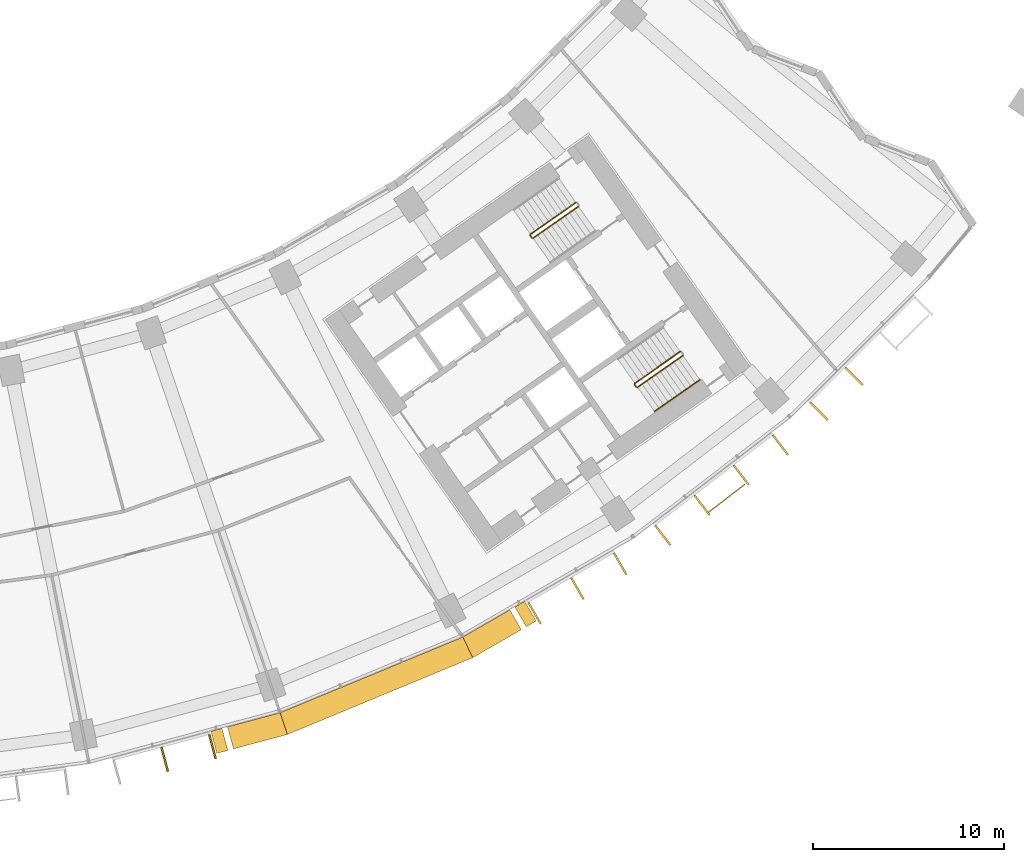
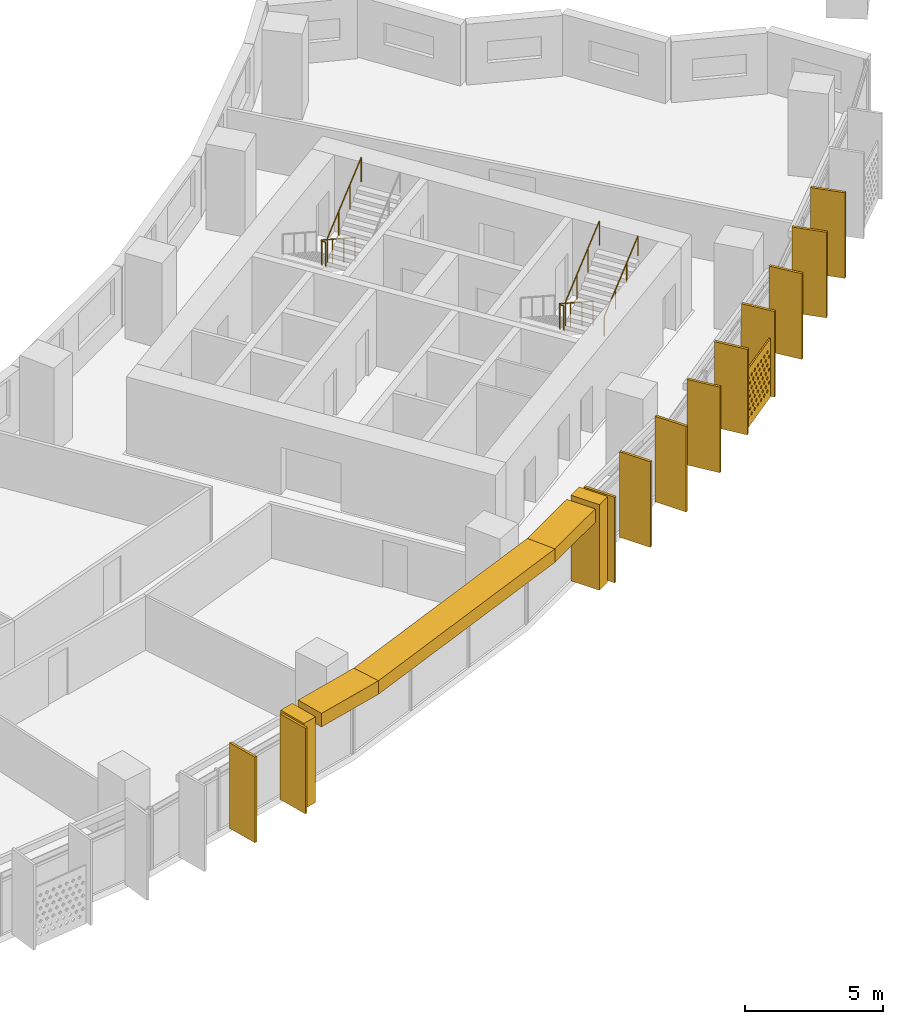
# One storey, part 27 of 28: 17 shading devices, 5 railings.
"""IFC4 building model written with IfcOpenShell, lengths in metres."""

from ifc_helpers import new_model, si_unit, direction, frame, origin, origin_2d, place, context, subcontext, project, spatial, polyline, rectangle, circle, outline, extrude, material, material_profile, profile_set, type_object, element, save


model = new_model("IFC4")

# Units and contexts
model_context = context("Model", 3, precision=1e-05, world=origin(), true_north=direction((0.0, 1.0)))
body_context = subcontext(model_context, "Body", "Model", "MODEL_VIEW")
ifc_project = project(units=[si_unit("LENGTHUNIT", "METRE"), si_unit("AREAUNIT", "SQUARE_METRE"), si_unit("VOLUMEUNIT", "CUBIC_METRE"), si_unit("PLANEANGLEUNIT", "RADIAN"), si_unit("MASSUNIT", "GRAM", prefix="KILO")], contexts=[model_context])

# Site, building, storey
site_placement = place(None, origin())
site = spatial("IfcSite", under=ifc_project, at=site_placement, CompositionType="ELEMENT")
building_placement = place(site_placement, origin())
building = spatial("IfcBuilding", under=site, at=building_placement, Name="Qamariyya Broadcast Tower", CompositionType="ELEMENT")
storey_placement = place(building_placement, frame((0.0, 0.0, 140.5)))
storey = spatial("IfcBuildingStorey", under=building, at=storey_placement, Name="L32", CompositionType="ELEMENT", Elevation=140.5)

# Shading devices
ifc_material_1 = material(Name="Steel S355 powder coated deep red", Category="steel")
shading_device_type_1 = type_object("IfcShadingDeviceType", Name="Deep red frame, powder coated steel box section", PredefinedType="USERDEFINED", material=ifc_material_1)
shading_device_1_placement = place(storey_placement, origin())
element("IfcShadingDevice", 1, at=shading_device_1_placement, inside=storey, type_object=shading_device_type_1, Name="e-frm-B2-F3-posta-L32", ObjectType="FRAME", PredefinedType="USERDEFINED", context=body_context, shape_type="SweptSolid", body=[
    extrude(outline(polyline([(21.860595703125, -76.064208984375), (22.171142578125, -77.22314453125), (22.750732421875, -77.06787109375), (22.440185546875, -75.908935546875), (21.860595703125, -76.064208984375)])), origin(), (0.0, 0.0, 1.0), 3.800048828125),
])
shading_device_2_placement = place(storey_placement, origin())
element("IfcShadingDevice", 2, at=shading_device_2_placement, inside=storey, type_object=shading_device_type_1, Name="e-frm-B2-F3-postb-L32", ObjectType="FRAME", PredefinedType="USERDEFINED", context=body_context, shape_type="SweptSolid", body=[
    extrude(outline(polyline([(37.80810546875, -69.543212890625), (38.408203125, -70.58251953125), (38.927734375, -70.282470703125), (38.32763671875, -69.2431640625), (37.80810546875, -69.543212890625)])), origin(), (0.0, 0.0, 1.0), 3.800048828125),
])
shading_device_3_placement = place(storey_placement, frame((0.0, 0.0, 3.199951171875)))
element("IfcShadingDevice", 3, at=shading_device_3_placement, inside=storey, type_object=shading_device_type_1, Name="e-frm-B2-F3-top0", ObjectType="FRAME", PredefinedType="USERDEFINED", context=body_context, shape_type="SweptSolid", body=[
    extrude(outline(polyline([(22.72998046875, -75.8310546875), (23.04052734375, -76.990234375), (25.876708984375, -76.230224609375), (25.490234375, -75.091552734375), (22.72998046875, -75.8310546875)])), origin(), (0.0, 0.0, 1.0), 0.60009765625),
])
shading_device_4_placement = place(storey_placement, frame((0.0, 0.0, 3.199951171875)))
element("IfcShadingDevice", 4, at=shading_device_4_placement, inside=storey, type_object=shading_device_type_1, Name="e-frm-B2-F3-top1", ObjectType="FRAME", PredefinedType="USERDEFINED", context=body_context, shape_type="SweptSolid", body=[
    extrude(outline(polyline([(25.490234375, -75.091552734375), (25.876708984375, -76.230224609375), (35.60546875, -72.20068359375), (35.073486328125, -71.1220703125), (25.490234375, -75.091552734375)])), origin(), (0.0, 0.0, 1.0), 0.60009765625),
])
shading_device_5_placement = place(storey_placement, frame((0.0, 0.0, 3.199951171875)))
element("IfcShadingDevice", 5, at=shading_device_5_placement, inside=storey, type_object=shading_device_type_1, Name="e-frm-B2-F3-top2", ObjectType="FRAME", PredefinedType="USERDEFINED", context=body_context, shape_type="SweptSolid", body=[
    extrude(outline(polyline([(35.073486328125, -71.1220703125), (35.60546875, -72.20068359375), (38.148193359375, -70.732421875), (37.54833984375, -69.693115234375), (35.073486328125, -71.1220703125)])), origin(), (0.0, 0.0, 1.0), 0.60009765625),
])
ifc_material_2 = material(Name="Perforated glazed terracotta", Category="masonry")
ifc_material_profile_1 = material_profile(ifc_material_2, outline(polyline([(-1.199951171875, -1.300048828125), (1.199951171875, -1.300048828125), (1.199951171875, 1.300048828125), (-1.199951171875, 1.300048828125), (-1.199951171875, -1.300048828125)]), holes=[polyline([(-0.81494140625, -0.86669921875), (-0.89990234375, -0.78173828125), (-0.985107421875, -0.86669921875), (-0.89990234375, -0.95166015625), (-0.81494140625, -0.86669921875)]), polyline([(-0.514892578125, -0.86669921875), (-0.60009765625, -0.78173828125), (-0.68505859375, -0.86669921875), (-0.60009765625, -0.95166015625), (-0.514892578125, -0.86669921875)]), polyline([(-0.215087890625, -0.86669921875), (-0.300048828125, -0.78173828125), (-0.385009765625, -0.86669921875), (-0.300048828125, -0.95166015625), (-0.215087890625, -0.86669921875)]), polyline([(0.0849609375, -0.86669921875), (0.0, -0.78173828125), (-0.0849609375, -0.86669921875), (0.0, -0.95166015625), (0.0849609375, -0.86669921875)]), polyline([(0.385009765625, -0.86669921875), (0.300048828125, -0.78173828125), (0.215087890625, -0.86669921875), (0.300048828125, -0.95166015625), (0.385009765625, -0.86669921875)]), polyline([(0.68505859375, -0.86669921875), (0.60009765625, -0.78173828125), (0.514892578125, -0.86669921875), (0.60009765625, -0.95166015625), (0.68505859375, -0.86669921875)]), polyline([(0.985107421875, -0.86669921875), (0.89990234375, -0.78173828125), (0.81494140625, -0.86669921875), (0.89990234375, -0.95166015625), (0.985107421875, -0.86669921875)]), polyline([(-0.965087890625, -0.577880859375), (-1.050048828125, -0.49267578125), (-1.135009765625, -0.577880859375), (-1.050048828125, -0.662841796875), (-0.965087890625, -0.577880859375)]), polyline([(-0.6650390625, -0.577880859375), (-0.75, -0.49267578125), (-0.8349609375, -0.577880859375), (-0.75, -0.662841796875), (-0.6650390625, -0.577880859375)]), polyline([(-0.364990234375, -0.577880859375), (-0.449951171875, -0.49267578125), (-0.534912109375, -0.577880859375), (-0.449951171875, -0.662841796875), (-0.364990234375, -0.577880859375)]), polyline([(-0.06494140625, -0.577880859375), (-0.14990234375, -0.49267578125), (-0.235107421875, -0.577880859375), (-0.14990234375, -0.662841796875), (-0.06494140625, -0.577880859375)]), polyline([(0.235107421875, -0.577880859375), (0.14990234375, -0.49267578125), (0.06494140625, -0.577880859375), (0.14990234375, -0.662841796875), (0.235107421875, -0.577880859375)]), polyline([(0.534912109375, -0.577880859375), (0.449951171875, -0.49267578125), (0.364990234375, -0.577880859375), (0.449951171875, -0.662841796875), (0.534912109375, -0.577880859375)]), polyline([(0.8349609375, -0.577880859375), (0.75, -0.49267578125), (0.6650390625, -0.577880859375), (0.75, -0.662841796875), (0.8349609375, -0.577880859375)]), polyline([(1.135009765625, -0.577880859375), (1.050048828125, -0.49267578125), (0.965087890625, -0.577880859375), (1.050048828125, -0.662841796875), (1.135009765625, -0.577880859375)]), polyline([(-0.81494140625, -0.288818359375), (-0.89990234375, -0.203857421875), (-0.985107421875, -0.288818359375), (-0.89990234375, -0.373779296875), (-0.81494140625, -0.288818359375)]), polyline([(-0.514892578125, -0.288818359375), (-0.60009765625, -0.203857421875), (-0.68505859375, -0.288818359375), (-0.60009765625, -0.373779296875), (-0.514892578125, -0.288818359375)]), polyline([(-0.215087890625, -0.288818359375), (-0.300048828125, -0.203857421875), (-0.385009765625, -0.288818359375), (-0.300048828125, -0.373779296875), (-0.215087890625, -0.288818359375)]), polyline([(0.0849609375, -0.288818359375), (0.0, -0.203857421875), (-0.0849609375, -0.288818359375), (0.0, -0.373779296875), (0.0849609375, -0.288818359375)]), polyline([(0.385009765625, -0.288818359375), (0.300048828125, -0.203857421875), (0.215087890625, -0.288818359375), (0.300048828125, -0.373779296875), (0.385009765625, -0.288818359375)]), polyline([(0.68505859375, -0.288818359375), (0.60009765625, -0.203857421875), (0.514892578125, -0.288818359375), (0.60009765625, -0.373779296875), (0.68505859375, -0.288818359375)]), polyline([(0.985107421875, -0.288818359375), (0.89990234375, -0.203857421875), (0.81494140625, -0.288818359375), (0.89990234375, -0.373779296875), (0.985107421875, -0.288818359375)]), polyline([(-0.965087890625, 0.0), (-1.050048828125, 0.0849609375), (-1.135009765625, 0.0), (-1.050048828125, -0.0849609375), (-0.965087890625, 0.0)]), polyline([(-0.6650390625, 0.0), (-0.75, 0.0849609375), (-0.8349609375, 0.0), (-0.75, -0.0849609375), (-0.6650390625, 0.0)]), polyline([(-0.364990234375, 0.0), (-0.449951171875, 0.0849609375), (-0.534912109375, 0.0), (-0.449951171875, -0.0849609375), (-0.364990234375, 0.0)]), polyline([(-0.06494140625, 0.0), (-0.14990234375, 0.0849609375), (-0.235107421875, 0.0), (-0.14990234375, -0.0849609375), (-0.06494140625, 0.0)]), polyline([(0.235107421875, 0.0), (0.14990234375, 0.0849609375), (0.06494140625, 0.0), (0.14990234375, -0.0849609375), (0.235107421875, 0.0)]), polyline([(0.534912109375, 0.0), (0.449951171875, 0.0849609375), (0.364990234375, 0.0), (0.449951171875, -0.0849609375), (0.534912109375, 0.0)]), polyline([(0.8349609375, 0.0), (0.75, 0.0849609375), (0.6650390625, 0.0), (0.75, -0.0849609375), (0.8349609375, 0.0)]), polyline([(1.135009765625, 0.0), (1.050048828125, 0.0849609375), (0.965087890625, 0.0), (1.050048828125, -0.0849609375), (1.135009765625, 0.0)]), polyline([(-0.81494140625, 0.288818359375), (-0.89990234375, 0.373779296875), (-0.985107421875, 0.288818359375), (-0.89990234375, 0.203857421875), (-0.81494140625, 0.288818359375)]), polyline([(-0.514892578125, 0.288818359375), (-0.60009765625, 0.373779296875), (-0.68505859375, 0.288818359375), (-0.60009765625, 0.203857421875), (-0.514892578125, 0.288818359375)]), polyline([(-0.215087890625, 0.288818359375), (-0.300048828125, 0.373779296875), (-0.385009765625, 0.288818359375), (-0.300048828125, 0.203857421875), (-0.215087890625, 0.288818359375)]), polyline([(0.0849609375, 0.288818359375), (0.0, 0.373779296875), (-0.0849609375, 0.288818359375), (0.0, 0.203857421875), (0.0849609375, 0.288818359375)]), polyline([(0.385009765625, 0.288818359375), (0.300048828125, 0.373779296875), (0.215087890625, 0.288818359375), (0.300048828125, 0.203857421875), (0.385009765625, 0.288818359375)]), polyline([(0.68505859375, 0.288818359375), (0.60009765625, 0.373779296875), (0.514892578125, 0.288818359375), (0.60009765625, 0.203857421875), (0.68505859375, 0.288818359375)]), polyline([(0.985107421875, 0.288818359375), (0.89990234375, 0.373779296875), (0.81494140625, 0.288818359375), (0.89990234375, 0.203857421875), (0.985107421875, 0.288818359375)]), polyline([(-0.965087890625, 0.577880859375), (-1.050048828125, 0.662841796875), (-1.135009765625, 0.577880859375), (-1.050048828125, 0.49267578125), (-0.965087890625, 0.577880859375)]), polyline([(-0.6650390625, 0.577880859375), (-0.75, 0.662841796875), (-0.8349609375, 0.577880859375), (-0.75, 0.49267578125), (-0.6650390625, 0.577880859375)]), polyline([(-0.364990234375, 0.577880859375), (-0.449951171875, 0.662841796875), (-0.534912109375, 0.577880859375), (-0.449951171875, 0.49267578125), (-0.364990234375, 0.577880859375)]), polyline([(-0.06494140625, 0.577880859375), (-0.14990234375, 0.662841796875), (-0.235107421875, 0.577880859375), (-0.14990234375, 0.49267578125), (-0.06494140625, 0.577880859375)]), polyline([(0.235107421875, 0.577880859375), (0.14990234375, 0.662841796875), (0.06494140625, 0.577880859375), (0.14990234375, 0.49267578125), (0.235107421875, 0.577880859375)]), polyline([(0.534912109375, 0.577880859375), (0.449951171875, 0.662841796875), (0.364990234375, 0.577880859375), (0.449951171875, 0.49267578125), (0.534912109375, 0.577880859375)]), polyline([(0.8349609375, 0.577880859375), (0.75, 0.662841796875), (0.6650390625, 0.577880859375), (0.75, 0.49267578125), (0.8349609375, 0.577880859375)]), polyline([(1.135009765625, 0.577880859375), (1.050048828125, 0.662841796875), (0.965087890625, 0.577880859375), (1.050048828125, 0.49267578125), (1.135009765625, 0.577880859375)]), polyline([(-0.81494140625, 0.86669921875), (-0.89990234375, 0.95166015625), (-0.985107421875, 0.86669921875), (-0.89990234375, 0.78173828125), (-0.81494140625, 0.86669921875)]), polyline([(-0.514892578125, 0.86669921875), (-0.60009765625, 0.95166015625), (-0.68505859375, 0.86669921875), (-0.60009765625, 0.78173828125), (-0.514892578125, 0.86669921875)]), polyline([(-0.215087890625, 0.86669921875), (-0.300048828125, 0.95166015625), (-0.385009765625, 0.86669921875), (-0.300048828125, 0.78173828125), (-0.215087890625, 0.86669921875)]), polyline([(0.0849609375, 0.86669921875), (0.0, 0.95166015625), (-0.0849609375, 0.86669921875), (0.0, 0.78173828125), (0.0849609375, 0.86669921875)]), polyline([(0.385009765625, 0.86669921875), (0.300048828125, 0.95166015625), (0.215087890625, 0.86669921875), (0.300048828125, 0.78173828125), (0.385009765625, 0.86669921875)]), polyline([(0.68505859375, 0.86669921875), (0.60009765625, 0.95166015625), (0.514892578125, 0.86669921875), (0.60009765625, 0.78173828125), (0.68505859375, 0.86669921875)]), polyline([(0.985107421875, 0.86669921875), (0.89990234375, 0.95166015625), (0.81494140625, 0.86669921875), (0.89990234375, 0.78173828125), (0.985107421875, 0.86669921875)])]))
ifc_profile_set_1 = profile_set([ifc_material_profile_1], Name="Perforated glazed terracotta")
shading_device_type_2 = type_object("IfcShadingDeviceType", Name="Perforated terracotta screen 2400 x 2600", PredefinedType="USERDEFINED", material=ifc_profile_set_1)
shading_device_6_placement = place(storey_placement, frame((48.907470703125, -63.814208984375, 1.35009765625), z_axis=(0.60971076085, -0.792623989105, 0.0), x_axis=(0.792623989105, 0.60971076085, 0.0)))
element("IfcShadingDevice", 6, at=shading_device_6_placement, inside=storey, type_object=shading_device_type_2, Name="e-scr-L32-14-1", ObjectType="SCREEN", PredefinedType="USERDEFINED", context=body_context, shape_type="SweptSolid", body=[
    extrude(outline(polyline([(-1.199951171875, -1.300048828125), (1.199951171875, -1.300048828125), (1.199951171875, 1.300048828125), (-1.199951171875, 1.300048828125), (-1.199951171875, -1.300048828125)]), holes=[polyline([(-0.81494140625, -0.86669921875), (-0.89990234375, -0.78173828125), (-0.985107421875, -0.86669921875), (-0.89990234375, -0.95166015625), (-0.81494140625, -0.86669921875)]), polyline([(-0.514892578125, -0.86669921875), (-0.60009765625, -0.78173828125), (-0.68505859375, -0.86669921875), (-0.60009765625, -0.95166015625), (-0.514892578125, -0.86669921875)]), polyline([(-0.215087890625, -0.86669921875), (-0.300048828125, -0.78173828125), (-0.385009765625, -0.86669921875), (-0.300048828125, -0.95166015625), (-0.215087890625, -0.86669921875)]), polyline([(0.0849609375, -0.86669921875), (0.0, -0.78173828125), (-0.0849609375, -0.86669921875), (0.0, -0.95166015625), (0.0849609375, -0.86669921875)]), polyline([(0.385009765625, -0.86669921875), (0.300048828125, -0.78173828125), (0.215087890625, -0.86669921875), (0.300048828125, -0.95166015625), (0.385009765625, -0.86669921875)]), polyline([(0.68505859375, -0.86669921875), (0.60009765625, -0.78173828125), (0.514892578125, -0.86669921875), (0.60009765625, -0.95166015625), (0.68505859375, -0.86669921875)]), polyline([(0.985107421875, -0.86669921875), (0.89990234375, -0.78173828125), (0.81494140625, -0.86669921875), (0.89990234375, -0.95166015625), (0.985107421875, -0.86669921875)]), polyline([(-0.965087890625, -0.577880859375), (-1.050048828125, -0.49267578125), (-1.135009765625, -0.577880859375), (-1.050048828125, -0.662841796875), (-0.965087890625, -0.577880859375)]), polyline([(-0.6650390625, -0.577880859375), (-0.75, -0.49267578125), (-0.8349609375, -0.577880859375), (-0.75, -0.662841796875), (-0.6650390625, -0.577880859375)]), polyline([(-0.364990234375, -0.577880859375), (-0.449951171875, -0.49267578125), (-0.534912109375, -0.577880859375), (-0.449951171875, -0.662841796875), (-0.364990234375, -0.577880859375)]), polyline([(-0.06494140625, -0.577880859375), (-0.14990234375, -0.49267578125), (-0.235107421875, -0.577880859375), (-0.14990234375, -0.662841796875), (-0.06494140625, -0.577880859375)]), polyline([(0.235107421875, -0.577880859375), (0.14990234375, -0.49267578125), (0.06494140625, -0.577880859375), (0.14990234375, -0.662841796875), (0.235107421875, -0.577880859375)]), polyline([(0.534912109375, -0.577880859375), (0.449951171875, -0.49267578125), (0.364990234375, -0.577880859375), (0.449951171875, -0.662841796875), (0.534912109375, -0.577880859375)]), polyline([(0.8349609375, -0.577880859375), (0.75, -0.49267578125), (0.6650390625, -0.577880859375), (0.75, -0.662841796875), (0.8349609375, -0.577880859375)]), polyline([(1.135009765625, -0.577880859375), (1.050048828125, -0.49267578125), (0.965087890625, -0.577880859375), (1.050048828125, -0.662841796875), (1.135009765625, -0.577880859375)]), polyline([(-0.81494140625, -0.288818359375), (-0.89990234375, -0.203857421875), (-0.985107421875, -0.288818359375), (-0.89990234375, -0.373779296875), (-0.81494140625, -0.288818359375)]), polyline([(-0.514892578125, -0.288818359375), (-0.60009765625, -0.203857421875), (-0.68505859375, -0.288818359375), (-0.60009765625, -0.373779296875), (-0.514892578125, -0.288818359375)]), polyline([(-0.215087890625, -0.288818359375), (-0.300048828125, -0.203857421875), (-0.385009765625, -0.288818359375), (-0.300048828125, -0.373779296875), (-0.215087890625, -0.288818359375)]), polyline([(0.0849609375, -0.288818359375), (0.0, -0.203857421875), (-0.0849609375, -0.288818359375), (0.0, -0.373779296875), (0.0849609375, -0.288818359375)]), polyline([(0.385009765625, -0.288818359375), (0.300048828125, -0.203857421875), (0.215087890625, -0.288818359375), (0.300048828125, -0.373779296875), (0.385009765625, -0.288818359375)]), polyline([(0.68505859375, -0.288818359375), (0.60009765625, -0.203857421875), (0.514892578125, -0.288818359375), (0.60009765625, -0.373779296875), (0.68505859375, -0.288818359375)]), polyline([(0.985107421875, -0.288818359375), (0.89990234375, -0.203857421875), (0.81494140625, -0.288818359375), (0.89990234375, -0.373779296875), (0.985107421875, -0.288818359375)]), polyline([(-0.965087890625, 0.0), (-1.050048828125, 0.0849609375), (-1.135009765625, 0.0), (-1.050048828125, -0.0849609375), (-0.965087890625, 0.0)]), polyline([(-0.6650390625, 0.0), (-0.75, 0.0849609375), (-0.8349609375, 0.0), (-0.75, -0.0849609375), (-0.6650390625, 0.0)]), polyline([(-0.364990234375, 0.0), (-0.449951171875, 0.0849609375), (-0.534912109375, 0.0), (-0.449951171875, -0.0849609375), (-0.364990234375, 0.0)]), polyline([(-0.06494140625, 0.0), (-0.14990234375, 0.0849609375), (-0.235107421875, 0.0), (-0.14990234375, -0.0849609375), (-0.06494140625, 0.0)]), polyline([(0.235107421875, 0.0), (0.14990234375, 0.0849609375), (0.06494140625, 0.0), (0.14990234375, -0.0849609375), (0.235107421875, 0.0)]), polyline([(0.534912109375, 0.0), (0.449951171875, 0.0849609375), (0.364990234375, 0.0), (0.449951171875, -0.0849609375), (0.534912109375, 0.0)]), polyline([(0.8349609375, 0.0), (0.75, 0.0849609375), (0.6650390625, 0.0), (0.75, -0.0849609375), (0.8349609375, 0.0)]), polyline([(1.135009765625, 0.0), (1.050048828125, 0.0849609375), (0.965087890625, 0.0), (1.050048828125, -0.0849609375), (1.135009765625, 0.0)]), polyline([(-0.81494140625, 0.288818359375), (-0.89990234375, 0.373779296875), (-0.985107421875, 0.288818359375), (-0.89990234375, 0.203857421875), (-0.81494140625, 0.288818359375)]), polyline([(-0.514892578125, 0.288818359375), (-0.60009765625, 0.373779296875), (-0.68505859375, 0.288818359375), (-0.60009765625, 0.203857421875), (-0.514892578125, 0.288818359375)]), polyline([(-0.215087890625, 0.288818359375), (-0.300048828125, 0.373779296875), (-0.385009765625, 0.288818359375), (-0.300048828125, 0.203857421875), (-0.215087890625, 0.288818359375)]), polyline([(0.0849609375, 0.288818359375), (0.0, 0.373779296875), (-0.0849609375, 0.288818359375), (0.0, 0.203857421875), (0.0849609375, 0.288818359375)]), polyline([(0.385009765625, 0.288818359375), (0.300048828125, 0.373779296875), (0.215087890625, 0.288818359375), (0.300048828125, 0.203857421875), (0.385009765625, 0.288818359375)]), polyline([(0.68505859375, 0.288818359375), (0.60009765625, 0.373779296875), (0.514892578125, 0.288818359375), (0.60009765625, 0.203857421875), (0.68505859375, 0.288818359375)]), polyline([(0.985107421875, 0.288818359375), (0.89990234375, 0.373779296875), (0.81494140625, 0.288818359375), (0.89990234375, 0.203857421875), (0.985107421875, 0.288818359375)]), polyline([(-0.965087890625, 0.577880859375), (-1.050048828125, 0.662841796875), (-1.135009765625, 0.577880859375), (-1.050048828125, 0.49267578125), (-0.965087890625, 0.577880859375)]), polyline([(-0.6650390625, 0.577880859375), (-0.75, 0.662841796875), (-0.8349609375, 0.577880859375), (-0.75, 0.49267578125), (-0.6650390625, 0.577880859375)]), polyline([(-0.364990234375, 0.577880859375), (-0.449951171875, 0.662841796875), (-0.534912109375, 0.577880859375), (-0.449951171875, 0.49267578125), (-0.364990234375, 0.577880859375)]), polyline([(-0.06494140625, 0.577880859375), (-0.14990234375, 0.662841796875), (-0.235107421875, 0.577880859375), (-0.14990234375, 0.49267578125), (-0.06494140625, 0.577880859375)]), polyline([(0.235107421875, 0.577880859375), (0.14990234375, 0.662841796875), (0.06494140625, 0.577880859375), (0.14990234375, 0.49267578125), (0.235107421875, 0.577880859375)]), polyline([(0.534912109375, 0.577880859375), (0.449951171875, 0.662841796875), (0.364990234375, 0.577880859375), (0.449951171875, 0.49267578125), (0.534912109375, 0.577880859375)]), polyline([(0.8349609375, 0.577880859375), (0.75, 0.662841796875), (0.6650390625, 0.577880859375), (0.75, 0.49267578125), (0.8349609375, 0.577880859375)]), polyline([(1.135009765625, 0.577880859375), (1.050048828125, 0.662841796875), (0.965087890625, 0.577880859375), (1.050048828125, 0.49267578125), (1.135009765625, 0.577880859375)]), polyline([(-0.81494140625, 0.86669921875), (-0.89990234375, 0.95166015625), (-0.985107421875, 0.86669921875), (-0.89990234375, 0.78173828125), (-0.81494140625, 0.86669921875)]), polyline([(-0.514892578125, 0.86669921875), (-0.60009765625, 0.95166015625), (-0.68505859375, 0.86669921875), (-0.60009765625, 0.78173828125), (-0.514892578125, 0.86669921875)]), polyline([(-0.215087890625, 0.86669921875), (-0.300048828125, 0.95166015625), (-0.385009765625, 0.86669921875), (-0.300048828125, 0.78173828125), (-0.215087890625, 0.86669921875)]), polyline([(0.0849609375, 0.86669921875), (0.0, 0.95166015625), (-0.0849609375, 0.86669921875), (0.0, 0.78173828125), (0.0849609375, 0.86669921875)]), polyline([(0.385009765625, 0.86669921875), (0.300048828125, 0.95166015625), (0.215087890625, 0.86669921875), (0.300048828125, 0.78173828125), (0.385009765625, 0.86669921875)]), polyline([(0.68505859375, 0.86669921875), (0.60009765625, 0.95166015625), (0.514892578125, 0.86669921875), (0.60009765625, 0.78173828125), (0.68505859375, 0.86669921875)]), polyline([(0.985107421875, 0.86669921875), (0.89990234375, 0.95166015625), (0.81494140625, 0.86669921875), (0.89990234375, 0.78173828125), (0.985107421875, 0.86669921875)])]), origin(), (0.0, 0.0, 1.0), 0.06005859375),
])

# Railings
ifc_material_3 = material(Name="Painted steel", Category="steel")
railing_type_1 = type_object("IfcRailingType", Name="Stair guard", PredefinedType="GUARDRAIL", material=ifc_material_3)
railing_1_placement = place(storey_placement, frame((41.003173828125, -48.320068359375, 0.172607421875)))
element("IfcRailing", 7, at=railing_1_placement, inside=storey, type_object=railing_type_1, Name="L32 ST-E2 stair guard 1", PredefinedType="GUARDRAIL", context=body_context, shape_type="SweptSolid", body=[
    extrude(circle(Radius=0.02392578125, at=origin_2d()), frame((0.0, 0.0, 1.076171875), z_axis=(-0.703770094002, -0.492783725636, 0.511734163933), x_axis=(0.573575343427, -0.819152809562, 0.0)), (0.0, 0.0, 1.0), 3.37548828125),
    extrude(circle(Radius=0.02392578125, at=origin_2d()), frame((-2.37548828125, -1.663330078125, 2.80322265625), z_axis=(-0.172799478008, -0.984957024646, 0.0), x_axis=(0.984957024646, -0.172799478008, 0.0)), (0.0, 0.0, 1.0), 0.070556640625),
    extrude(circle(Radius=0.02392578125, at=origin_2d()), frame((-2.3876953125, -1.73291015625, 2.80322265625), z_axis=(0.572588637393, -0.819842821722, 0.0), x_axis=(0.819842821722, 0.572588637393, 0.0)), (0.0, 0.0, 1.0), 0.150146484375),
    extrude(circle(Radius=0.02099609375, at=origin_2d()), origin(), (0.0, 0.0, 1.0), 1.052001953125),
    extrude(circle(Radius=0.02099609375, at=origin_2d()), frame((-0.791748046875, -0.554443359375, 0.57568359375)), (0.0, 0.0, 1.0), 1.052001953125),
    extrude(circle(Radius=0.02099609375, at=origin_2d()), frame((-1.583740234375, -1.10888671875, 1.151611328125)), (0.0, 0.0, 1.0), 1.052001953125),
    extrude(circle(Radius=0.02099609375, at=origin_2d()), frame((-2.37548828125, -1.663330078125, 1.727294921875)), (0.0, 0.0, 1.0), 1.052001953125),
    extrude(circle(Radius=0.02099609375, at=origin_2d()), frame((-2.3876953125, -1.73291015625, 1.727294921875)), (0.0, 0.0, 1.0), 1.052001953125),
    extrude(circle(Radius=0.02099609375, at=origin_2d()), frame((-2.3017578125, -1.85595703125, 1.727294921875)), (0.0, 0.0, 1.0), 1.052001953125),
])
railing_2_placement = place(storey_placement, frame((38.771240234375, -50.188232421875, 2.07275390625)))
element("IfcRailing", 8, at=railing_2_placement, inside=storey, type_object=railing_type_1, Name="L32 ST-E2 stair guard 2", PredefinedType="GUARDRAIL", context=body_context, shape_type="SweptSolid", body=[
    extrude(circle(Radius=0.02392578125, at=origin_2d()), frame((0.0, 0.0, 1.076171875), z_axis=(0.703770094002, 0.492783725636, 0.511734163933), x_axis=(-0.573575343427, 0.819152809562, 0.0)), (0.0, 0.0, 1.0), 3.37548828125),
    extrude(circle(Radius=0.02099609375, at=origin_2d()), origin(), (0.0, 0.0, 1.0), 1.052001953125),
    extrude(circle(Radius=0.02099609375, at=origin_2d()), frame((0.791748046875, 0.554443359375, 0.57568359375)), (0.0, 0.0, 1.0), 1.052001953125),
    extrude(circle(Radius=0.02099609375, at=origin_2d()), frame((1.583740234375, 1.10888671875, 1.151611328125)), (0.0, 0.0, 1.0), 1.052001953125),
    extrude(circle(Radius=0.02099609375, at=origin_2d()), frame((2.37548828125, 1.663330078125, 1.727294921875)), (0.0, 0.0, 1.0), 1.052001953125),
])
railing_3_placement = place(storey_placement, frame((46.48095703125, -56.14306640625, 0.172607421875)))
element("IfcRailing", 9, at=railing_3_placement, inside=storey, type_object=railing_type_1, Name="L32 ST-E1 stair guard 1", PredefinedType="GUARDRAIL", context=body_context, shape_type="SweptSolid", body=[
    extrude(circle(Radius=0.02392578125, at=origin_2d()), frame((0.0, 0.0, 1.076171875), z_axis=(-0.703770094002, -0.492783725636, 0.511734163933), x_axis=(0.573575343427, -0.819152809562, 0.0)), (0.0, 0.0, 1.0), 3.37548828125),
    extrude(circle(Radius=0.02392578125, at=origin_2d()), frame((-2.37548828125, -1.663330078125, 2.80322265625), z_axis=(-0.176149252506, -0.984363469884, 0.0), x_axis=(0.984363469884, -0.176149252506, 0.0)), (0.0, 0.0, 1.0), 0.07080078125),
    extrude(circle(Radius=0.02392578125, at=origin_2d()), frame((-2.387939453125, -1.73291015625, 2.80322265625), z_axis=(0.574444878118, -0.818543268254, 0.0), x_axis=(0.818543268254, 0.574444878118, 0.0)), (0.0, 0.0, 1.0), 0.150146484375),
    extrude(circle(Radius=0.02099609375, at=origin_2d()), origin(), (0.0, 0.0, 1.0), 1.052001953125),
    extrude(circle(Radius=0.02099609375, at=origin_2d()), frame((-0.791748046875, -0.554443359375, 0.57568359375)), (0.0, 0.0, 1.0), 1.052001953125),
    extrude(circle(Radius=0.02099609375, at=origin_2d()), frame((-1.583740234375, -1.10888671875, 1.151611328125)), (0.0, 0.0, 1.0), 1.052001953125),
    extrude(circle(Radius=0.02099609375, at=origin_2d()), frame((-2.37548828125, -1.663330078125, 1.727294921875)), (0.0, 0.0, 1.0), 1.052001953125),
    extrude(circle(Radius=0.02099609375, at=origin_2d()), frame((-2.387939453125, -1.73291015625, 1.727294921875)), (0.0, 0.0, 1.0), 1.052001953125),
    extrude(circle(Radius=0.02099609375, at=origin_2d()), frame((-2.3017578125, -1.855712890625, 1.727294921875)), (0.0, 0.0, 1.0), 1.052001953125),
])
railing_4_placement = place(storey_placement, frame((44.248779296875, -58.01123046875, 2.07275390625)))
element("IfcRailing", 10, at=railing_4_placement, inside=storey, type_object=railing_type_1, Name="L32 ST-E1 stair guard 2", PredefinedType="GUARDRAIL", context=body_context, shape_type="SweptSolid", body=[
    extrude(circle(Radius=0.02392578125, at=origin_2d()), frame((0.0, 0.0, 1.076171875), z_axis=(0.703745009021, 0.492838488332, 0.511715923826), x_axis=(-0.573631830683, 0.819113253969, 0.0)), (0.0, 0.0, 1.0), 3.37548828125),
    extrude(circle(Radius=0.02099609375, at=origin_2d()), origin(), (0.0, 0.0, 1.0), 1.052001953125),
    extrude(circle(Radius=0.02099609375, at=origin_2d()), frame((0.791748046875, 0.554443359375, 0.57568359375)), (0.0, 0.0, 1.0), 1.052001953125),
    extrude(circle(Radius=0.02099609375, at=origin_2d()), frame((1.583740234375, 1.109130859375, 1.151611328125)), (0.0, 0.0, 1.0), 1.052001953125),
    extrude(circle(Radius=0.02099609375, at=origin_2d()), frame((2.37548828125, 1.66357421875, 1.727294921875)), (0.0, 0.0, 1.0), 1.052001953125),
])
ifc_material_4 = material(Name="Stainless steel", Category="steel")
railing_type_2 = type_object("IfcRailingType", Name="Stair handrail", PredefinedType="HANDRAIL", material=ifc_material_4)
railing_5_placement = place(storey_placement, frame((45.137939453125, -59.28076171875, 2.07275390625)))
element("IfcRailing", 11, at=railing_5_placement, inside=storey, type_object=railing_type_2, Name="L32 ST-E1 stair handrail 2", PredefinedType="HANDRAIL", context=body_context, shape_type="SweptSolid", body=[
    extrude(circle(Radius=0.02392578125, at=origin_2d()), frame((0.0, 0.0, 0.8759765625), z_axis=(0.703770094002, 0.492783725636, 0.511734163933), x_axis=(-0.573575343427, 0.819152809562, 0.0)), (0.0, 0.0, 1.0), 3.37548828125),
    extrude(circle(Radius=0.02099609375, at=origin_2d()), origin(), (0.0, 0.0, 1.0), 0.851806640625),
    extrude(circle(Radius=0.02099609375, at=origin_2d()), frame((0.791748046875, 0.554443359375, 0.57568359375)), (0.0, 0.0, 1.0), 0.851806640625),
    extrude(circle(Radius=0.02099609375, at=origin_2d()), frame((1.583740234375, 1.10888671875, 1.151611328125)), (0.0, 0.0, 1.0), 0.851806640625),
    extrude(circle(Radius=0.02099609375, at=origin_2d()), frame((2.37548828125, 1.663330078125, 1.727294921875)), (0.0, 0.0, 1.0), 0.851806640625),
])

# Shading devices
ifc_material_5 = material(Name="Glazed terracotta", Category="masonry")
ifc_material_profile_2 = material_profile(ifc_material_5, rectangle(XDim=1.300048828125, YDim=0.10009765625, at=origin_2d()))
ifc_profile_set_2 = profile_set([ifc_material_profile_2], Name="Glazed terracotta")
shading_device_type_3 = type_object("IfcShadingDeviceType", Name="Terracotta fin 100 x 1300", PredefinedType="USERDEFINED", material=ifc_profile_set_2)
for number, where, z_axis, x_axis, name in (
    (12, (19.43505859375, -77.542236328125, 0.0), (0.0, 0.0, 1.0), (0.258819045103, -0.965925826289, 0.0), "e-fin-L32-11-1"),
    (13, (21.93994140625, -76.87109375, 0.0), (0.0, 0.0, 1.0), (0.258819045103, -0.965925826289, 0.0), "e-fin-L32-11-2"),
    (14, (38.84228515625, -69.869873046875, 0.0), (0.0, 0.0, 1.0), (0.5, -0.866025403784, 0.0), "e-fin-L32-13-1"),
    (15, (41.087890625, -68.5732421875, 0.0), (0.0, 0.0, 1.0), (0.5, -0.866025403784, 0.0), "e-fin-L32-13-2"),
    (16, (43.333740234375, -67.276611328125, 0.0), (0.0, 0.0, 1.0), (0.5, -0.866025403784, 0.0), "e-fin-L32-13-3"),
    (17, (45.572509765625, -65.781005859375, 0.0), (0.0, 0.0, 1.0), (0.608761429009, -0.793353340291, 0.0), "e-fin-L32-14-0"),
    (18, (47.629638671875, -64.2021484375, 0.0), (0.0, 0.0, 1.0), (0.608761429009, -0.793353340291, 0.0), "e-fin-L32-14-1"),
    (19, (49.68701171875, -62.62353515625, 0.0), (0.0, 0.0, 1.0), (0.608761429009, -0.793353340291, 0.0), "e-fin-L32-14-2"),
    (20, (51.744384765625, -61.044921875, 0.0), (0.0, 0.0, 1.0), (0.608761429009, -0.793353340291, 0.0), "e-fin-L32-14-3"),
    (21, (53.7685546875, -59.269775390625, 0.0), (0.0, 0.0, 1.0), (0.707106781187, -0.707106781187, 0.0), "e-fin-L32-15-0"),
    (22, (55.602294921875, -57.43603515625, 0.0), (0.0, 0.0, 1.0), (0.707106781187, -0.707106781187, 0.0), "e-fin-L32-15-1"),
):
    element("IfcShadingDevice", number, at=place(storey_placement, frame(where, z_axis=z_axis, x_axis=x_axis)), inside=storey, type_object=shading_device_type_3, Name=name, ObjectType="FIN", PredefinedType="USERDEFINED", context=body_context, shape_type="SweptSolid", body=[
        extrude(rectangle(XDim=1.300048828125, YDim=0.10009765625, at=origin_2d()), origin(), (0.0, 0.0, 1.0), 3.800048828125),
    ])

save(model, "model.ifc")
